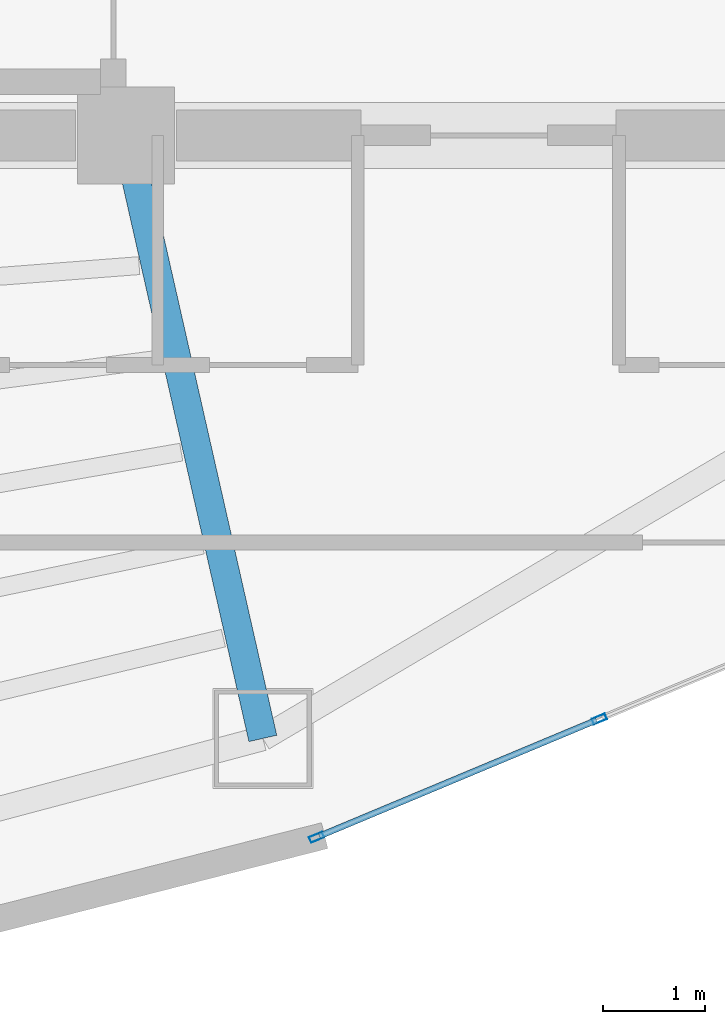
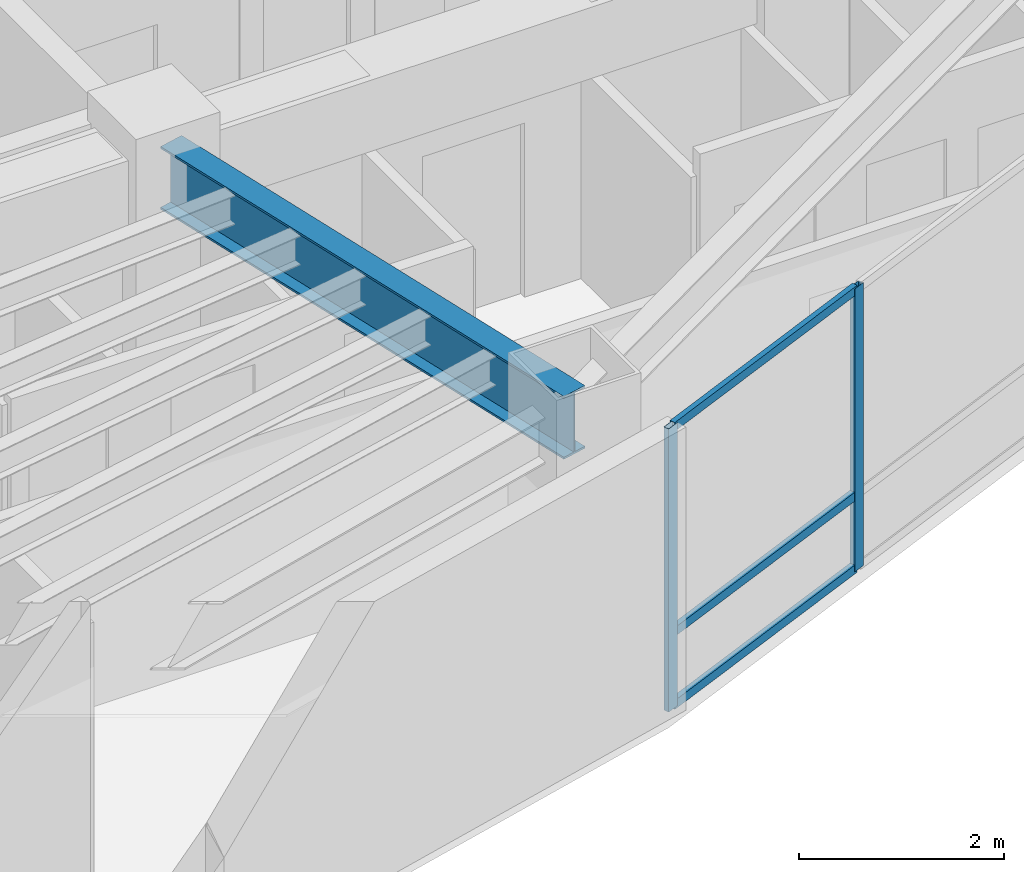
# One storey, part 2 of 16: 5 members, 1 beam, 1 element without a shape of its own.
"""IFC4 building model written with IfcOpenShell, lengths in metres."""

from ifc_helpers import new_model, si_unit, direction, frame, origin, origin_2d, place, context, subcontext, project, spatial, hollow_rectangle, i_section, extrude, material, layer, layer_set, material_profile, profile_set, type_object, element, aggregate, save


model = new_model("IFC4")

# Units and contexts
model_context = context("Model", 3, precision=1e-05, world=origin(), true_north=direction((0.0, 1.0)))
body_context = subcontext(model_context, "Body", "Model", "MODEL_VIEW")
ifc_project = project(units=[si_unit("LENGTHUNIT", "METRE"), si_unit("AREAUNIT", "SQUARE_METRE"), si_unit("VOLUMEUNIT", "CUBIC_METRE"), si_unit("PLANEANGLEUNIT", "RADIAN"), si_unit("MASSUNIT", "GRAM", prefix="KILO")], contexts=[model_context])

# Site, building, storey
site_placement = place(None, origin())
site = spatial("IfcSite", under=ifc_project, at=site_placement, CompositionType="ELEMENT")
building_placement = place(site_placement, origin())
building = spatial("IfcBuilding", under=site, at=building_placement, Name="Menara Vayukalpa", CompositionType="ELEMENT")
storey_placement = place(building_placement, frame((0.0, 0.0, 210.1201171875)))
storey = spatial("IfcBuildingStorey", under=building, at=storey_placement, Name="L53", CompositionType="ELEMENT", Elevation=210.1201171875)

# Beam
ifc_material_1 = material(Name="Steel S355", Category="steel")
ifc_material_profile_1 = material_profile(ifc_material_1, i_section(OverallWidth=0.280029296875, OverallDepth=0.75, WebThickness=0.013916015625, FlangeThickness=0.02490234375, at=origin_2d()), Name="WF 750x280x14x25")
ifc_profile_set_1 = profile_set([ifc_material_profile_1], Name="Steel S355")
beam_type = type_object("IfcBeamType", Name="BM-PG4", PredefinedType="BEAM", material=ifc_profile_set_1)
beam_placement = place(storey_placement, frame((22.105224609375, 16.956298828125, 3.0048828125), z_axis=(0.221085149161, -0.975254508741, 0.0), x_axis=(0.975254508741, 0.221085149161, 0.0)))
element("IfcBeam", 1, at=beam_placement, inside=storey, type_object=beam_type, Name="L53 Primary Radial Girder RG08", PredefinedType="BEAM", context=body_context, shape_type="SweptSolid", body=[
    extrude(i_section(OverallWidth=0.280029296875, OverallDepth=0.75, WebThickness=0.013916015625, FlangeThickness=0.02490234375, at=origin_2d()), origin(), (0.0, 0.0, 1.0), 5.80859375),
])

# Curtain wall, members
ifc_material_2 = material(Name="Anodised Terracotta Aluminium Alloy 6063-T6", Category="masonry")
ifc_layer = layer(ifc_material_2, 0.139892578125)
ifc_layer_set = layer_set([ifc_layer], Name="Anodised Terracotta Aluminium Alloy 6063-T6")
curtain_wall_type = type_object("IfcCurtainWallType", Name="CW-CW5", PredefinedType="USERDEFINED", material=ifc_layer_set)
curtain_wall_placement = place(storey_placement, origin())
curtain_wall = element("IfcCurtainWall", 2, at=curtain_wall_placement, inside=storey, type_object=curtain_wall_type, Name="L53 High Rise Tapered Curtain Wall CW5 16", ObjectType="UNITISED", PredefinedType="USERDEFINED")
ifc_material_3 = material(Name="Anodised Terracotta Aluminium Alloy 6063-T6", Category="masonry")
ifc_material_profile_2 = material_profile(ifc_material_3, hollow_rectangle(XDim=0.06005859375, YDim=0.139892578125, WallThickness=0.00341796875, at=origin_2d()), Name="ALU 60x140x3.5")
ifc_profile_set_2 = profile_set([ifc_material_profile_2], Name="Anodised Terracotta Aluminium Alloy 6063-T6")
member_type_1 = type_object("IfcMemberType", Name="CWM-CW5", PredefinedType="MULLION", material=ifc_profile_set_2)
member_1_placement = place(storey_placement, frame((23.916259765625, 10.322998046875, 0.0), z_axis=(0.0, 0.0, 1.0), x_axis=(-0.385902834406, 0.922539431351, 0.0)))
member_1 = element("IfcMember", 3, at=member_1_placement, type_object=member_type_1, Name="CW5 mullion 1", PredefinedType="MULLION", context=body_context, shape_type="SweptSolid", body=[
    extrude(hollow_rectangle(XDim=0.06005859375, YDim=0.139892578125, WallThickness=0.00341796875, at=origin_2d()), origin(), (0.0, 0.0, 1.0), 3.3798828125),
])
member_2_placement = place(storey_placement, frame((26.686279296875, 11.481689453125, 0.0), z_axis=(0.0, 0.0, 1.0), x_axis=(-0.385902834406, 0.922539431351, 0.0)))
member_2 = element("IfcMember", 4, at=member_2_placement, type_object=member_type_1, Name="CW5 mullion 2", PredefinedType="MULLION", context=body_context, shape_type="SweptSolid", body=[
    extrude(hollow_rectangle(XDim=0.06005859375, YDim=0.139892578125, WallThickness=0.00341796875, at=origin_2d()), origin(), (0.0, 0.0, 1.0), 3.3798828125),
])
ifc_material_4 = material(Name="Anodised Terracotta Aluminium Alloy 6063-T6", Category="masonry")
ifc_material_profile_3 = material_profile(ifc_material_4, hollow_rectangle(XDim=0.06005859375, YDim=0.10498046875, WallThickness=0.0029296875, at=origin_2d()), Name="ALU 60x105x3")
ifc_profile_set_3 = profile_set([ifc_material_profile_3], Name="Anodised Terracotta Aluminium Alloy 6063-T6")
member_type_2 = type_object("IfcMemberType", Name="CWT-CW5", PredefinedType="USERDEFINED", material=ifc_profile_set_3)
member_3_placement = place(storey_placement, frame((23.94384765625, 10.33447265625, 0.02978515625), z_axis=(0.922543360613, 0.385893440976, 0.0), x_axis=(-0.385893440976, 0.922543360613, 0.0)))
member_3 = element("IfcMember", 5, at=member_3_placement, type_object=member_type_2, Name="CW5 transom 1.1", ObjectType="TRANSOM", PredefinedType="USERDEFINED", context=body_context, shape_type="SweptSolid", body=[
    extrude(hollow_rectangle(XDim=0.06005859375, YDim=0.10498046875, WallThickness=0.0029296875, at=origin_2d()), origin(), (0.0, 0.0, 1.0), 2.942626953125),
])
member_4_placement = place(storey_placement, frame((23.94384765625, 10.33447265625, 0.89990234375), z_axis=(0.922543360613, 0.385893440976, 0.0), x_axis=(-0.385893440976, 0.922543360613, 0.0)))
member_4 = element("IfcMember", 6, at=member_4_placement, type_object=member_type_2, Name="CW5 transom 1.2", ObjectType="TRANSOM", PredefinedType="USERDEFINED", context=body_context, shape_type="SweptSolid", body=[
    extrude(hollow_rectangle(XDim=0.06005859375, YDim=0.10498046875, WallThickness=0.0029296875, at=origin_2d()), origin(), (0.0, 0.0, 1.0), 2.942626953125),
])
member_5_placement = place(storey_placement, frame((23.94384765625, 10.33447265625, 3.349853515625), z_axis=(0.922543360613, 0.385893440976, 0.0), x_axis=(-0.385893440976, 0.922543360613, 0.0)))
member_5 = element("IfcMember", 7, at=member_5_placement, type_object=member_type_2, Name="CW5 transom 1.3", ObjectType="TRANSOM", PredefinedType="USERDEFINED", context=body_context, shape_type="SweptSolid", body=[
    extrude(hollow_rectangle(XDim=0.06005859375, YDim=0.10498046875, WallThickness=0.0029296875, at=origin_2d()), origin(), (0.0, 0.0, 1.0), 2.942626953125),
])
aggregate(curtain_wall, [member_1, member_2, member_3, member_4, member_5])

save(model, "model.ifc")
